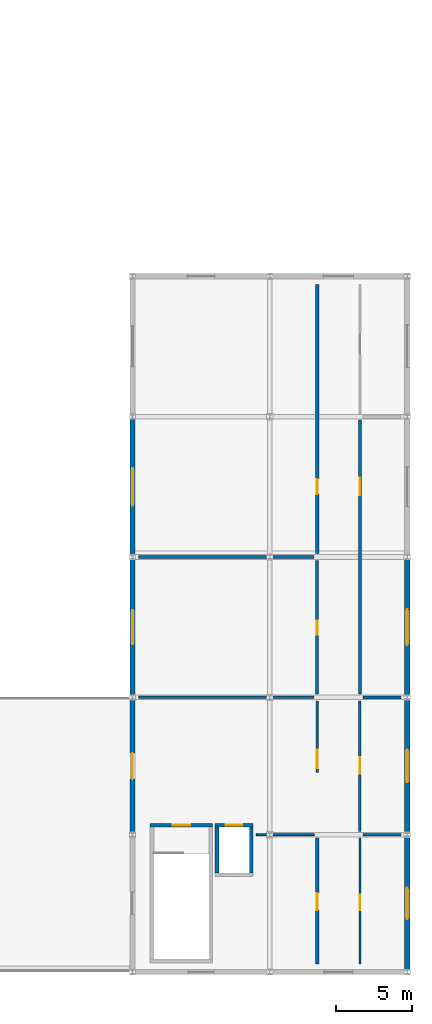
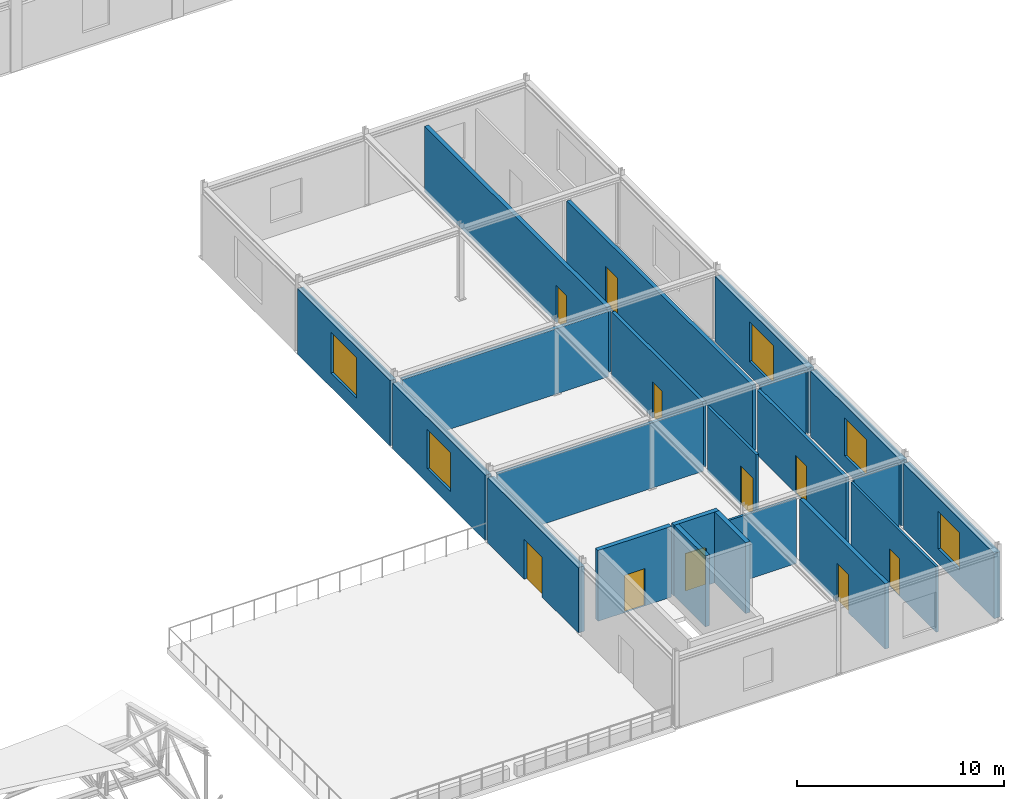
# One storey, part 44 of 55: 22 walls, 10 doors, 5 windows, 15 openings.
"""IFC4 building model written with IfcOpenShell, lengths in metres."""

from ifc_helpers import new_model, si_unit, direction, frame, frame_2d, origin, place, context, subcontext, project, spatial, rectangle, extrude, material, layer, layer_set, type_object, element, fill, save


model = new_model("IFC4")

# Units and contexts
model_context = context("Model", 3, precision=1e-05, world=origin(), true_north=direction((0.0, 1.0)))
body_context = subcontext(model_context, "Body", "Model", "MODEL_VIEW")
ifc_project = project(units=[si_unit("LENGTHUNIT", "METRE"), si_unit("AREAUNIT", "SQUARE_METRE"), si_unit("VOLUMEUNIT", "CUBIC_METRE"), si_unit("PLANEANGLEUNIT", "RADIAN"), si_unit("MASSUNIT", "GRAM", prefix="KILO")], contexts=[model_context])

# Site, building, storey
site_placement = place(None, origin())
site = spatial("IfcSite", under=ifc_project, at=site_placement, CompositionType="ELEMENT")
building_placement = place(site_placement, origin())
building = spatial("IfcBuilding", under=site, at=building_placement, Name="Bozkorgan Art Gallery", CompositionType="ELEMENT")
storey_placement = place(building_placement, frame((0.0, 0.0, 15.0)))
storey = spatial("IfcBuildingStorey", under=building, at=storey_placement, Name="L03", CompositionType="ELEMENT", Elevation=15.0)

# Wall, opening, door
ifc_material_1 = material(Name="Concrete C40/50", Category="concrete")
ifc_layer_1 = layer(ifc_material_1, 0.25, Name="Concrete C40/50")
ifc_layer_set_1 = layer_set([ifc_layer_1], Name="Concrete C40/50")
wall_type_1 = type_object("IfcWallType", Name="IWALL-CW-51", PredefinedType="SHEAR", material=ifc_layer_set_1)
wall_1_placement = place(storey_placement, frame((147.14990234375, 11.625, 0.0), z_axis=(0.0, 0.0, 1.0), x_axis=(1.0, 0.0, 0.0)))
wall_1 = element("IfcWall", 1, at=wall_1_placement, inside=storey, type_object=wall_type_1, Name="CORE4 L03 stair core north shear wall", PredefinedType="SHEAR", context=body_context, shape_type="SweptSolid", body=[
    extrude(rectangle(XDim=4.10009765625, YDim=0.25, at=frame_2d((2.050048828125, 0.0))), origin(), (0.0, 0.0, 1.0), 4.179931640625),
])
opening_1_placement = place(wall_1_placement, frame((2.625, 0.0, 0.0), z_axis=(0.0, 0.0, 1.0), x_axis=(-1.0, 0.0, 0.0)))
opening_1 = element("IfcOpeningElement", 2, at=opening_1_placement, cuts=wall_1, Name="Opening SD-41", PredefinedType="OPENING", context=body_context, shape_type="SweptSolid", body=[
    extrude(rectangle(XDim=1.14990234375, YDim=2.199951171875, at=frame_2d((0.574951171875, 1.10009765625))), frame((0.0, 0.135009765625, 0.0), z_axis=(0.0, -1.0, 0.0), x_axis=(1.0, 0.0, 0.0)), (0.0, 0.0, 1.0), 0.27001953125),
])
ifc_material_2 = material(Name="Steel S355J2", Category="steel")
door_type_1 = type_object("IfcDoorType", Name="IDOOR-SD-41", OperationType="NOTDEFINED", PredefinedType="DOOR", material=ifc_material_2)
door_1_placement = place(opening_1_placement, origin())
door_1 = element("IfcDoor", 3, at=door_1_placement, inside=storey, type_object=door_type_1, Name="ST4 L03 Fire Stair Door", OperationType="SINGLE_SWING_RIGHT", OverallHeight=2.199951171875, OverallWidth=1.14990234375, PredefinedType="DOOR", context=body_context, shape_type="SweptSolid", body=[
    extrude(rectangle(XDim=1.14990234375, YDim=2.199951171875, at=frame_2d((0.574951171875, 1.10009765625))), frame((0.0, 0.02490234375, 0.0), z_axis=(0.0, -1.0, 0.0), x_axis=(1.0, 0.0, 0.0)), (0.0, 0.0, 1.0), 0.050048828125),
])
fill(opening_1, door_1)

wall_2_placement = place(storey_placement, frame((151.39990234375, 11.625, 0.0), z_axis=(0.0, 0.0, 1.0), x_axis=(1.0, 0.0, 0.0)))
wall_2 = element("IfcWall", 4, at=wall_2_placement, inside=storey, type_object=wall_type_1, Name="PL4 L03 shaft front shear wall", PredefinedType="SHEAR", context=body_context, shape_type="SweptSolid", body=[
    extrude(rectangle(XDim=2.5, YDim=0.25, at=frame_2d((1.25, 0.0))), origin(), (0.0, 0.0, 1.0), 4.179931640625),
])
opening_2_placement = place(wall_2_placement, frame((0.699951171875, 0.0, 0.0)))
opening_2 = element("IfcOpeningElement", 5, at=opening_2_placement, cuts=wall_2, Name="Opening LD-25", PredefinedType="OPENING", context=body_context, shape_type="SweptSolid", body=[
    extrude(rectangle(XDim=1.10009765625, YDim=2.199951171875, at=frame_2d((0.550048828125, 1.10009765625))), frame((0.0, 0.135009765625, 0.0), z_axis=(0.0, -1.0, 0.0), x_axis=(1.0, 0.0, 0.0)), (0.0, 0.0, 1.0), 0.27001953125),
])
door_type_2 = type_object("IfcDoorType", Name="IDOOR-LD-25", OperationType="NOTDEFINED", PredefinedType="DOOR", material=ifc_material_2)
door_2_placement = place(opening_2_placement, origin())
door_2 = element("IfcDoor", 6, at=door_2_placement, inside=storey, type_object=door_type_2, Name="LD-PL4-L03 Lift Landing Door", OperationType="SLIDING_TO_LEFT", OverallHeight=2.199951171875, OverallWidth=1.10009765625, PredefinedType="DOOR", context=body_context, shape_type="SweptSolid", body=[
    extrude(rectangle(XDim=1.10009765625, YDim=2.199951171875, at=frame_2d((0.550048828125, 1.10009765625))), frame((0.0, 0.02490234375, 0.0), z_axis=(0.0, -1.0, 0.0), x_axis=(1.0, 0.0, 0.0)), (0.0, 0.0, 1.0), 0.050048828125),
])
fill(opening_2, door_2)

# Walls
for number, where, z_axis, x_axis, name in (
    (7, (153.77490234375, 8.5, 0.0), (0.0, 0.0, 1.0), (0.0, 1.0, 0.0), "PL4 L03 shaft E shear wall"),
    (8, (151.52490234375, 8.5, 0.0), (0.0, 0.0, 1.0), (0.0, 1.0, 0.0), "PL4 L03 shaft W shear wall"),
):
    element("IfcWall", number, at=place(storey_placement, frame(where, z_axis=z_axis, x_axis=x_axis)), inside=storey, type_object=wall_type_1, Name=name, PredefinedType="SHEAR", context=body_context, shape_type="SweptSolid", body=[
        extrude(rectangle(XDim=3.0, YDim=0.25, at=frame_2d((1.5, 0.0))), origin(), (0.0, 0.0, 1.0), 4.179931640625),
    ])

# Wall, opening, door
ifc_material_3 = material(Name="Acoustic Gypsum & Mineral Wool Partition")
ifc_layer_2 = layer(ifc_material_3, 0.22998046875, Name="Acoustic Gypsum & Mineral Wool Partition")
ifc_layer_set_2 = layer_set([ifc_layer_2], Name="Acoustic Gypsum & Mineral Wool Partition")
wall_type_2 = type_object("IfcWallType", Name="IWALL-PR-08", PredefinedType="PARTITIONING", material=ifc_layer_set_2)
wall_3_placement = place(storey_placement, frame((158.10009765625, 2.5400390625, 0.0), z_axis=(0.0, 0.0, 1.0), x_axis=(0.0, 1.0, 0.0)))
wall_3 = element("IfcWall", 9, at=wall_3_placement, inside=storey, type_object=wall_type_2, Name="V6 L03 acoustic partition wall 395", PredefinedType="PARTITIONING", context=body_context, shape_type="SweptSolid", body=[
    extrude(rectangle(XDim=8.239990234375, YDim=0.22998046875, at=frame_2d((4.1201171875, 0.0))), origin(), (0.0, 0.0, 1.0), 3.85498046875),
])
opening_3_placement = place(wall_3_placement, frame((4.639404296875, 0.0, 0.0), z_axis=(0.0, 0.0, 1.0), x_axis=(-1.0, 0.0, 0.0)))
opening_3 = element("IfcOpeningElement", 10, at=opening_3_placement, cuts=wall_3, Name="Opening FD-89", PredefinedType="OPENING", context=body_context, shape_type="SweptSolid", body=[
    extrude(rectangle(XDim=1.1201171875, YDim=2.260009765625, at=frame_2d((0.56005859375, 1.1298828125))), frame((0.0, 0.125, 0.0), z_axis=(0.0, -1.0, 0.0), x_axis=(1.0, 0.0, 0.0)), (0.0, 0.0, 1.0), 0.25),
])
ifc_material_4 = material(Name="Oiled European Oak Joinery")
door_type_3 = type_object("IfcDoorType", Name="IDOOR-FD-89", OperationType="NOTDEFINED", PredefinedType="DOOR", material=ifc_material_4)
door_3_placement = place(opening_3_placement, origin())
door_3 = element("IfcDoor", 11, at=door_3_placement, inside=storey, type_object=door_type_3, Name="Artists' Painting Studio Door", OperationType="SINGLE_SWING_RIGHT", OverallHeight=2.260009765625, OverallWidth=1.1201171875, PredefinedType="DOOR", context=body_context, shape_type="SweptSolid", body=[
    extrude(rectangle(XDim=1.1201171875, YDim=2.260009765625, at=frame_2d((0.56005859375, 1.1298828125))), frame((0.0, 0.02490234375, 0.0), z_axis=(0.0, -1.0, 0.0), x_axis=(1.0, 0.0, 0.0)), (0.0, 0.0, 1.0), 0.050048828125),
])
fill(opening_3, door_3)

wall_4_placement = place(storey_placement, frame((158.10009765625, 29.419921875, 0.0), z_axis=(0.0, 0.0, 1.0), x_axis=(0.0, 1.0, 0.0)))
wall_4 = element("IfcWall", 12, at=wall_4_placement, inside=storey, type_object=wall_type_2, Name="V6 L03 acoustic partition wall 401", PredefinedType="PARTITIONING", context=body_context, shape_type="SweptSolid", body=[
    extrude(rectangle(XDim=17.64013671875, YDim=0.22998046875, at=frame_2d((8.820068359375, 0.0))), origin(), (0.0, 0.0, 1.0), 3.85498046875),
])
opening_4_placement = place(wall_4_placement, frame((4.888916015625, 0.0, 0.0), z_axis=(0.0, 0.0, 1.0), x_axis=(-1.0, 0.0, 0.0)))
opening_4 = element("IfcOpeningElement", 13, at=opening_4_placement, cuts=wall_4, Name="Opening FD-75", PredefinedType="OPENING", context=body_context, shape_type="SweptSolid", body=[
    extrude(rectangle(XDim=0.97998046875, YDim=2.179931640625, at=frame_2d((0.489990234375, 1.08984375))), frame((0.0, 0.125, 0.0), z_axis=(0.0, -1.0, 0.0), x_axis=(1.0, 0.0, 0.0)), (0.0, 0.0, 1.0), 0.25),
])
door_type_4 = type_object("IfcDoorType", Name="IDOOR-FD-75", OperationType="NOTDEFINED", PredefinedType="DOOR", material=ifc_material_4)
door_4_placement = place(opening_4_placement, origin())
door_4 = element("IfcDoor", 14, at=door_4_placement, inside=storey, type_object=door_type_4, Name="Fellows' Seminar Lounge Door", OperationType="SINGLE_SWING_LEFT", OverallHeight=2.179931640625, OverallWidth=0.97998046875, PredefinedType="DOOR", context=body_context, shape_type="SweptSolid", body=[
    extrude(rectangle(XDim=0.97998046875, YDim=2.179931640625, at=frame_2d((0.489990234375, 1.08984375))), frame((0.0, 0.02490234375, 0.0), z_axis=(0.0, -1.0, 0.0), x_axis=(1.0, 0.0, 0.0)), (0.0, 0.0, 1.0), 0.050048828125),
])
fill(opening_4, door_4)

ifc_layer_3 = layer(ifc_material_3, 0.2099609375, Name="Acoustic Gypsum & Mineral Wool Partition")
ifc_layer_set_3 = layer_set([ifc_layer_3], Name="Acoustic Gypsum & Mineral Wool Partition")
wall_type_3 = type_object("IfcWallType", Name="IWALL-PR-38", PredefinedType="PARTITIONING", material=ifc_layer_set_3)
wall_5_placement = place(storey_placement, frame((160.89990234375, 20.219970703125, 0.0), z_axis=(0.0, 0.0, 1.0), x_axis=(0.0, 1.0, 0.0)))
wall_5 = element("IfcWall", 15, at=wall_5_placement, inside=storey, type_object=wall_type_3, Name="V6 L03 acoustic partition wall 406", PredefinedType="PARTITIONING", context=body_context, shape_type="SweptSolid", body=[
    extrude(rectangle(XDim=17.9599609375, YDim=0.2099609375, at=frame_2d((8.97998046875, 0.0))), origin(), (0.0, 0.0, 1.0), 3.85498046875),
])
opening_5_placement = place(wall_5_placement, frame((13.0244140625, 0.0, 0.0)))
opening_5 = element("IfcOpeningElement", 16, at=opening_5_placement, cuts=wall_5, Name="Opening FD-03", PredefinedType="OPENING", context=body_context, shape_type="SweptSolid", body=[
    extrude(rectangle(XDim=1.159912109375, YDim=2.280029296875, at=frame_2d((0.580078125, 1.14013671875))), frame((0.0, 0.114990234375, 0.0), z_axis=(0.0, -1.0, 0.0), x_axis=(1.0, 0.0, 0.0)), (0.0, 0.0, 1.0), 0.22998046875),
])
door_type_5 = type_object("IfcDoorType", Name="IDOOR-FD-03", OperationType="NOTDEFINED", PredefinedType="DOOR", material=ifc_material_4)
door_5_placement = place(opening_5_placement, origin())
door_5 = element("IfcDoor", 17, at=door_5_placement, inside=storey, type_object=door_type_5, Name="Artists' Painting Studio Door", OperationType="SINGLE_SWING_RIGHT", OverallHeight=2.280029296875, OverallWidth=1.159912109375, PredefinedType="DOOR", context=body_context, shape_type="SweptSolid", body=[
    extrude(rectangle(XDim=1.159912109375, YDim=2.280029296875, at=frame_2d((0.580078125, 1.14013671875))), frame((0.0, 0.02490234375, 0.0), z_axis=(0.0, -1.0, 0.0), x_axis=(1.0, 0.0, 0.0)), (0.0, 0.0, 1.0), 0.050048828125),
])
fill(opening_5, door_5)

ifc_layer_4 = layer(ifc_material_3, 0.169921875, Name="Acoustic Gypsum & Mineral Wool Partition")
ifc_layer_set_4 = layer_set([ifc_layer_4], Name="Acoustic Gypsum & Mineral Wool Partition")
wall_type_4 = type_object("IfcWallType", Name="IWALL-PR-40", PredefinedType="PARTITIONING", material=ifc_layer_set_4)
wall_6_placement = place(storey_placement, frame((160.89990234375, 11.219970703125, 0.0), z_axis=(0.0, 0.0, 1.0), x_axis=(0.0, 1.0, 0.0)))
wall_6 = element("IfcWall", 18, at=wall_6_placement, inside=storey, type_object=wall_type_4, Name="V6 L03 acoustic partition wall 404", PredefinedType="PARTITIONING", context=body_context, shape_type="SweptSolid", body=[
    extrude(rectangle(XDim=8.56005859375, YDim=0.169921875, at=frame_2d((4.280029296875, 0.0))), origin(), (0.0, 0.0, 1.0), 3.85498046875),
])
opening_6_placement = place(wall_6_placement, frame((3.780029296875, 0.0, 0.0)))
opening_6 = element("IfcOpeningElement", 19, at=opening_6_placement, cuts=wall_6, Name="Opening FD-44", PredefinedType="OPENING", context=body_context, shape_type="SweptSolid", body=[
    extrude(rectangle(XDim=1.080078125, YDim=2.239990234375, at=frame_2d((0.5400390625, 1.1201171875))), frame((0.0, 0.094970703125, 0.0), z_axis=(0.0, -1.0, 0.0), x_axis=(1.0, 0.0, 0.0)), (0.0, 0.0, 1.0), 0.18994140625),
])
door_type_6 = type_object("IfcDoorType", Name="IDOOR-FD-44", OperationType="NOTDEFINED", PredefinedType="DOOR", material=ifc_material_4)
door_6_placement = place(opening_6_placement, origin())
door_6 = element("IfcDoor", 20, at=door_6_placement, inside=storey, type_object=door_type_6, Name="Collection Archive Room Door", OperationType="SINGLE_SWING_LEFT", OverallHeight=2.239990234375, OverallWidth=1.080078125, PredefinedType="DOOR", context=body_context, shape_type="SweptSolid", body=[
    extrude(rectangle(XDim=1.080078125, YDim=2.239990234375, at=frame_2d((0.5400390625, 1.1201171875))), frame((0.0, 0.02490234375, 0.0), z_axis=(0.0, -1.0, 0.0), x_axis=(1.0, 0.0, 0.0)), (0.0, 0.0, 1.0), 0.050048828125),
])
fill(opening_6, door_6)

ifc_layer_5 = layer(ifc_material_3, 0.14990234375, Name="Acoustic Gypsum & Mineral Wool Partition")
ifc_layer_set_5 = layer_set([ifc_layer_5], Name="Acoustic Gypsum & Mineral Wool Partition")
wall_type_5 = type_object("IfcWallType", Name="IWALL-PR-55", PredefinedType="PARTITIONING", material=ifc_layer_set_5)
wall_7_placement = place(storey_placement, frame((158.10009765625, 15.070068359375, 0.0), z_axis=(0.0, 0.0, 1.0), x_axis=(0.0, 1.0, 0.0)))
wall_7 = element("IfcWall", 21, at=wall_7_placement, inside=storey, type_object=wall_type_5, Name="V6 L03 acoustic partition wall 397", PredefinedType="PARTITIONING", context=body_context, shape_type="SweptSolid", body=[
    extrude(rectangle(XDim=4.7099609375, YDim=0.14990234375, at=frame_2d((2.35498046875, 0.0))), origin(), (0.0, 0.0, 1.0), 3.85498046875),
])
opening_7_placement = place(wall_7_placement, frame((1.5, 0.0, 0.0), z_axis=(0.0, 0.0, 1.0), x_axis=(-1.0, 0.0, 0.0)))
opening_7 = element("IfcOpeningElement", 22, at=opening_7_placement, cuts=wall_7, Name="Opening FD-05", PredefinedType="OPENING", context=body_context, shape_type="SweptSolid", body=[
    extrude(rectangle(XDim=1.199951171875, YDim=2.300048828125, at=frame_2d((0.60009765625, 1.14990234375))), frame((0.0, 0.0849609375, 0.0), z_axis=(0.0, -1.0, 0.0), x_axis=(1.0, 0.0, 0.0)), (0.0, 0.0, 1.0), 0.169921875),
])
door_type_7 = type_object("IfcDoorType", Name="IDOOR-FD-05", OperationType="NOTDEFINED", PredefinedType="DOOR", material=ifc_material_4)
door_7_placement = place(opening_7_placement, origin())
door_7 = element("IfcDoor", 23, at=door_7_placement, inside=storey, type_object=door_type_7, Name="Textile Weaving Studio Door", OperationType="SINGLE_SWING_LEFT", OverallHeight=2.300048828125, OverallWidth=1.199951171875, PredefinedType="DOOR", context=body_context, shape_type="SweptSolid", body=[
    extrude(rectangle(XDim=1.199951171875, YDim=2.300048828125, at=frame_2d((0.60009765625, 1.14990234375))), frame((0.0, 0.02490234375, 0.0), z_axis=(0.0, -1.0, 0.0), x_axis=(1.0, 0.0, 0.0)), (0.0, 0.0, 1.0), 0.050048828125),
])
fill(opening_7, door_7)

ifc_layer_6 = layer(ifc_material_3, 0.18994140625, Name="Acoustic Gypsum & Mineral Wool Partition")
ifc_layer_set_6 = layer_set([ifc_layer_6], Name="Acoustic Gypsum & Mineral Wool Partition")
wall_type_6 = type_object("IfcWallType", Name="IWALL-PR-66", PredefinedType="PARTITIONING", material=ifc_layer_set_6)
wall_8_placement = place(storey_placement, frame((158.10009765625, 20.219970703125, 0.0), z_axis=(0.0, 0.0, 1.0), x_axis=(0.0, 1.0, 0.0)))
wall_8 = element("IfcWall", 24, at=wall_8_placement, inside=storey, type_object=wall_type_6, Name="V6 L03 acoustic partition wall 399", PredefinedType="PARTITIONING", context=body_context, shape_type="SweptSolid", body=[
    extrude(rectangle(XDim=8.760009765625, YDim=0.18994140625, at=frame_2d((4.3798828125, 0.0))), origin(), (0.0, 0.0, 1.0), 3.85498046875),
])
opening_8_placement = place(wall_8_placement, frame((4.7998046875, 0.0, 0.0), z_axis=(0.0, 0.0, 1.0), x_axis=(-1.0, 0.0, 0.0)))
opening_8 = element("IfcOpeningElement", 25, at=opening_8_placement, cuts=wall_8, Name="Opening FD-12", PredefinedType="OPENING", context=body_context, shape_type="SweptSolid", body=[
    extrude(rectangle(XDim=0.919921875, YDim=2.1201171875, at=frame_2d((0.4599609375, 1.06005859375))), frame((0.0, 0.10498046875, 0.0), z_axis=(0.0, -1.0, 0.0), x_axis=(1.0, 0.0, 0.0)), (0.0, 0.0, 1.0), 0.2099609375),
])
door_type_8 = type_object("IfcDoorType", Name="IDOOR-FD-12", OperationType="NOTDEFINED", PredefinedType="DOOR", material=ifc_material_4)
door_8_placement = place(opening_8_placement, origin())
door_8 = element("IfcDoor", 26, at=door_8_placement, inside=storey, type_object=door_type_8, Name="Visiting Artist Critique Room Door", OperationType="SINGLE_SWING_RIGHT", OverallHeight=2.1201171875, OverallWidth=0.919921875, PredefinedType="DOOR", context=body_context, shape_type="SweptSolid", body=[
    extrude(rectangle(XDim=0.919921875, YDim=2.1201171875, at=frame_2d((0.4599609375, 1.06005859375))), frame((0.0, 0.02490234375, 0.0), z_axis=(0.0, -1.0, 0.0), x_axis=(1.0, 0.0, 0.0)), (0.0, 0.0, 1.0), 0.050048828125),
])
fill(opening_8, door_8)

ifc_layer_7 = layer(ifc_material_3, 0.1298828125, Name="Acoustic Gypsum & Mineral Wool Partition")
ifc_layer_set_7 = layer_set([ifc_layer_7], Name="Acoustic Gypsum & Mineral Wool Partition")
wall_type_7 = type_object("IfcWallType", Name="IWALL-PR-76", PredefinedType="PARTITIONING", material=ifc_layer_set_7)
wall_9_placement = place(storey_placement, frame((160.89990234375, 2.5400390625, 0.0), z_axis=(0.0, 0.0, 1.0), x_axis=(0.0, 1.0, 0.0)))
wall_9 = element("IfcWall", 27, at=wall_9_placement, inside=storey, type_object=wall_type_7, Name="V6 L03 acoustic partition wall 402", PredefinedType="PARTITIONING", context=body_context, shape_type="SweptSolid", body=[
    extrude(rectangle(XDim=8.239990234375, YDim=0.1298828125, at=frame_2d((4.1201171875, 0.0))), origin(), (0.0, 0.0, 1.0), 3.85498046875),
])
opening_9_placement = place(wall_9_placement, frame((3.519287109375, 0.0, 0.0)))
opening_9 = element("IfcOpeningElement", 28, at=opening_9_placement, cuts=wall_9, Name="Opening FD-60", PredefinedType="OPENING", context=body_context, shape_type="SweptSolid", body=[
    extrude(rectangle(XDim=1.0, YDim=2.199951171875, at=frame_2d((0.5, 1.10009765625))), frame((0.0, 0.074951171875, 0.0), z_axis=(0.0, -1.0, 0.0), x_axis=(1.0, 0.0, 0.0)), (0.0, 0.0, 1.0), 0.14990234375),
])
door_type_9 = type_object("IfcDoorType", Name="IDOOR-FD-60", OperationType="NOTDEFINED", PredefinedType="DOOR", material=ifc_material_4)
door_9_placement = place(opening_9_placement, origin())
door_9 = element("IfcDoor", 29, at=door_9_placement, inside=storey, type_object=door_type_9, Name="Canvas Stretcher Store Door", OperationType="SINGLE_SWING_RIGHT", OverallHeight=2.199951171875, OverallWidth=1.0, PredefinedType="DOOR", context=body_context, shape_type="SweptSolid", body=[
    extrude(rectangle(XDim=1.0, YDim=2.199951171875, at=frame_2d((0.5, 1.10009765625))), frame((0.0, 0.02490234375, 0.0), z_axis=(0.0, -1.0, 0.0), x_axis=(1.0, 0.0, 0.0)), (0.0, 0.0, 1.0), 0.050048828125),
])
fill(opening_9, door_9)

# Walls
ifc_layer_8 = layer(ifc_material_3, 0.169921875, Name="Acoustic Gypsum & Mineral Wool Partition")
ifc_layer_set_8 = layer_set([ifc_layer_8], Name="Acoustic Gypsum & Mineral Wool Partition")
wall_type_8 = type_object("IfcWallType", Name="IWALL-PW-02", PredefinedType="PARTITIONING", material=ifc_layer_set_8)
wall_10_placement = place(storey_placement, frame((146.39990234375, 20.0, 0.0), z_axis=(0.0, 0.0, 1.0), x_axis=(1.0, 0.0, 0.0)))
element("IfcWall", 30, at=wall_10_placement, inside=storey, type_object=wall_type_8, Name="V6 L03 acoustic partition wall 398", PredefinedType="PARTITIONING", context=body_context, shape_type="SweptSolid", body=[
    extrude(rectangle(XDim=11.5, YDim=0.169921875, at=frame_2d((5.75, 0.0))), origin(), (0.0, 0.0, 1.0), 3.85498046875),
])
ifc_layer_9 = layer(ifc_material_3, 0.14990234375, Name="Acoustic Gypsum & Mineral Wool Partition")
ifc_layer_set_9 = layer_set([ifc_layer_9], Name="Acoustic Gypsum & Mineral Wool Partition")
wall_type_9 = type_object("IfcWallType", Name="IWALL-PW-17", PredefinedType="PARTITIONING", material=ifc_layer_set_9)
wall_11_placement = place(storey_placement, frame((161.10009765625, 11.0, 0.0), z_axis=(0.0, 0.0, 1.0), x_axis=(1.0, 0.0, 0.0)))
element("IfcWall", 31, at=wall_11_placement, inside=storey, type_object=wall_type_9, Name="V6 L03 acoustic partition wall 403", PredefinedType="PARTITIONING", context=body_context, shape_type="SweptSolid", body=[
    extrude(rectangle(XDim=2.5, YDim=0.14990234375, at=frame_2d((1.25, 0.0))), origin(), (0.0, 0.0, 1.0), 3.85498046875),
])
ifc_layer_10 = layer(ifc_material_3, 0.18994140625, Name="Acoustic Gypsum & Mineral Wool Partition")
ifc_layer_set_10 = layer_set([ifc_layer_10], Name="Acoustic Gypsum & Mineral Wool Partition")
wall_type_10 = type_object("IfcWallType", Name="IWALL-PW-23", PredefinedType="PARTITIONING", material=ifc_layer_set_10)
wall_12_placement = place(storey_placement, frame((161.10009765625, 20.0, 0.0), z_axis=(0.0, 0.0, 1.0), x_axis=(1.0, 0.0, 0.0)))
element("IfcWall", 32, at=wall_12_placement, inside=storey, type_object=wall_type_10, Name="V6 L03 acoustic partition wall 405", PredefinedType="PARTITIONING", context=body_context, shape_type="SweptSolid", body=[
    extrude(rectangle(XDim=2.5, YDim=0.18994140625, at=frame_2d((1.25, 0.0))), origin(), (0.0, 0.0, 1.0), 3.85498046875),
])
ifc_layer_11 = layer(ifc_material_3, 0.2099609375, Name="Acoustic Gypsum & Mineral Wool Partition")
ifc_layer_set_11 = layer_set([ifc_layer_11], Name="Acoustic Gypsum & Mineral Wool Partition")
wall_type_11 = type_object("IfcWallType", Name="IWALL-PW-72", PredefinedType="PARTITIONING", material=ifc_layer_set_11)
wall_13_placement = place(storey_placement, frame((146.39990234375, 29.199951171875, 0.0), z_axis=(0.0, 0.0, 1.0), x_axis=(1.0, 0.0, 0.0)))
element("IfcWall", 33, at=wall_13_placement, inside=storey, type_object=wall_type_11, Name="V6 L03 acoustic partition wall 400", PredefinedType="PARTITIONING", context=body_context, shape_type="SweptSolid", body=[
    extrude(rectangle(XDim=11.5, YDim=0.2099609375, at=frame_2d((5.75, 0.0))), origin(), (0.0, 0.0, 1.0), 3.85498046875),
])
ifc_layer_12 = layer(ifc_material_3, 0.1298828125, Name="Acoustic Gypsum & Mineral Wool Partition")
ifc_layer_set_12 = layer_set([ifc_layer_12], Name="Acoustic Gypsum & Mineral Wool Partition")
wall_type_12 = type_object("IfcWallType", Name="IWALL-PW-97", PredefinedType="PARTITIONING", material=ifc_layer_set_12)
wall_14_placement = place(storey_placement, frame((154.110107421875, 11.0, 0.0), z_axis=(0.0, 0.0, 1.0), x_axis=(1.0, 0.0, 0.0)))
element("IfcWall", 34, at=wall_14_placement, inside=storey, type_object=wall_type_12, Name="V6 L03 acoustic partition wall 396", PredefinedType="PARTITIONING", context=body_context, shape_type="SweptSolid", body=[
    extrude(rectangle(XDim=3.789794921875, YDim=0.1298828125, at=frame_2d((1.89501953125, 0.0))), origin(), (0.0, 0.0, 1.0), 3.85498046875),
])

# Wall, opening, window
ifc_material_5 = material(Name="Pressed Terracotta Brick Masonry", Category="masonry")
ifc_layer_13 = layer(ifc_material_5, 0.340087890625, Name="Pressed Terracotta Brick Masonry")
ifc_layer_set_13 = layer_set([ifc_layer_13], Name="Pressed Terracotta Brick Masonry")
wall_type_13 = type_object("IfcWallType", Name="WALL-WB-71", PredefinedType="STANDARD", material=ifc_layer_set_13)
wall_15_placement = place(storey_placement, frame((164.0, 2.1201171875, 0.0), z_axis=(0.0, 0.0, 1.0), x_axis=(0.0, 1.0, 0.0)))
wall_15 = element("IfcWall", 35, at=wall_15_placement, inside=storey, type_object=wall_type_13, Name="V6 L03 exterior facade wall 1E-6", PredefinedType="STANDARD", context=body_context, shape_type="SweptSolid", body=[
    extrude(rectangle(XDim=8.759765625, YDim=0.340087890625, at=frame_2d((4.3798828125, 0.0))), origin(), (0.0, 0.0, 1.0), 3.85498046875),
])
opening_10_placement = place(wall_15_placement, frame((5.405029296875, 0.0, 0.85009765625), z_axis=(0.0, 0.0, 1.0), x_axis=(-1.0, 0.0, 0.0)))
opening_10 = element("IfcOpeningElement", 36, at=opening_10_placement, cuts=wall_15, Name="Opening WN-39", PredefinedType="OPENING", context=body_context, shape_type="SweptSolid", body=[
    extrude(rectangle(XDim=2.050048828125, YDim=2.199951171875, at=frame_2d((1.02490234375, 1.10009765625))), frame((0.0, 0.18017578125, 0.0), z_axis=(0.0, -1.0, 0.0), x_axis=(1.0, 0.0, 0.0)), (0.0, 0.0, 1.0), 0.360107421875),
])
ifc_material_6 = material(Name="Triple Low-E Laminated Glass", Category="glass")
window_type_1 = type_object("IfcWindowType", Name="WIN-WN-39", PartitioningType="SINGLE_PANEL", PredefinedType="WINDOW", material=ifc_material_6)
window_1_placement = place(opening_10_placement, origin())
window_1 = element("IfcWindow", 37, at=window_1_placement, inside=storey, type_object=window_type_1, Name="V6 L03 gallery window 1E-6", OverallHeight=2.199951171875, OverallWidth=2.050048828125, PartitioningType="SINGLE_PANEL", PredefinedType="WINDOW", context=body_context, shape_type="SweptSolid", body=[
    extrude(rectangle(XDim=2.050048828125, YDim=2.199951171875, at=frame_2d((1.02490234375, 1.10009765625))), frame((0.0, 0.030029296875, 0.0), z_axis=(0.0, -1.0, 0.0), x_axis=(1.0, 0.0, 0.0)), (0.0, 0.0, 1.0), 0.06005859375),
])
fill(opening_10, window_1)

# Wall, opening, door
wall_16_placement = place(storey_placement, frame((146.0, 11.1201171875, 0.0), z_axis=(0.0, 0.0, 1.0), x_axis=(0.0, 1.0, 0.0)))
wall_16 = element("IfcWall", 38, at=wall_16_placement, inside=storey, type_object=wall_type_13, Name="V6 L03 terrace access wall (TD06)", PredefinedType="STANDARD", context=body_context, shape_type="SweptSolid", body=[
    extrude(rectangle(XDim=8.759765625, YDim=0.340087890625, at=frame_2d((4.3798828125, 0.0))), origin(), (0.0, 0.0, 1.0), 3.85498046875),
])
opening_11_placement = place(wall_16_placement, frame((3.530029296875, 0.0, 0.0)))
opening_11 = element("IfcOpeningElement", 39, at=opening_11_placement, cuts=wall_16, Name="Opening TD-72", PredefinedType="OPENING", context=body_context, shape_type="SweptSolid", body=[
    extrude(rectangle(XDim=1.699951171875, YDim=2.35009765625, at=frame_2d((0.85009765625, 1.175048828125))), frame((0.0, 0.18017578125, 0.0), z_axis=(0.0, -1.0, 0.0), x_axis=(1.0, 0.0, 0.0)), (0.0, 0.0, 1.0), 0.360107421875),
])
ifc_material_7 = material(Name="Anodised Bronze Aluminium", Category="aluminium")
door_type_10 = type_object("IfcDoorType", Name="DOOR-TD-72", OperationType="NOTDEFINED", PredefinedType="DOOR", material=ifc_material_7)
door_10_placement = place(opening_11_placement, origin())
door_10 = element("IfcDoor", 40, at=door_10_placement, inside=storey, type_object=door_type_10, Name="TD06 Sculpture Terrace Access Door", OperationType="DOUBLE_DOOR_SINGLE_SWING", OverallHeight=2.35009765625, OverallWidth=1.699951171875, PredefinedType="DOOR", context=body_context, shape_type="SweptSolid", body=[
    extrude(rectangle(XDim=1.699951171875, YDim=2.35009765625, at=frame_2d((0.85009765625, 1.175048828125))), frame((0.0, 0.02490234375, 0.0), z_axis=(0.0, -1.0, 0.0), x_axis=(1.0, 0.0, 0.0)), (0.0, 0.0, 1.0), 0.050048828125),
])
fill(opening_11, door_10)

# Wall, opening, window
wall_17_placement = place(storey_placement, frame((164.0, 11.1201171875, 0.0), z_axis=(0.0, 0.0, 1.0), x_axis=(0.0, 1.0, 0.0)))
wall_17 = element("IfcWall", 41, at=wall_17_placement, inside=storey, type_object=wall_type_13, Name="V6 L03 exterior facade wall 1E-8", PredefinedType="STANDARD", context=body_context, shape_type="SweptSolid", body=[
    extrude(rectangle(XDim=8.759765625, YDim=0.340087890625, at=frame_2d((4.3798828125, 0.0))), origin(), (0.0, 0.0, 1.0), 3.85498046875),
])
opening_12_placement = place(wall_17_placement, frame((5.454833984375, 0.0, 0.85009765625), z_axis=(0.0, 0.0, 1.0), x_axis=(-1.0, 0.0, 0.0)))
opening_12 = element("IfcOpeningElement", 42, at=opening_12_placement, cuts=wall_17, Name="Opening WN-56", PredefinedType="OPENING", context=body_context, shape_type="SweptSolid", body=[
    extrude(rectangle(XDim=2.14990234375, YDim=2.25, at=frame_2d((1.074951171875, 1.125))), frame((0.0, 0.18017578125, 0.0), z_axis=(0.0, -1.0, 0.0), x_axis=(1.0, 0.0, 0.0)), (0.0, 0.0, 1.0), 0.360107421875),
])
window_type_2 = type_object("IfcWindowType", Name="WIN-WN-56", PartitioningType="SINGLE_PANEL", PredefinedType="WINDOW", material=ifc_material_6)
window_2_placement = place(opening_12_placement, origin())
window_2 = element("IfcWindow", 43, at=window_2_placement, inside=storey, type_object=window_type_2, Name="V6 L03 gallery window 1E-8", OverallHeight=2.25, OverallWidth=2.14990234375, PartitioningType="SINGLE_PANEL", PredefinedType="WINDOW", context=body_context, shape_type="SweptSolid", body=[
    extrude(rectangle(XDim=2.14990234375, YDim=2.25, at=frame_2d((1.074951171875, 1.125))), frame((0.0, 0.030029296875, 0.0), z_axis=(0.0, -1.0, 0.0), x_axis=(1.0, 0.0, 0.0)), (0.0, 0.0, 1.0), 0.06005859375),
])
fill(opening_12, window_2)

wall_18_placement = place(storey_placement, frame((146.0, 20.1201171875, 0.0), z_axis=(0.0, 0.0, 1.0), x_axis=(0.0, 1.0, 0.0)))
wall_18 = element("IfcWall", 44, at=wall_18_placement, inside=storey, type_object=wall_type_13, Name="V6 L03 exterior facade wall 1W-9", PredefinedType="STANDARD", context=body_context, shape_type="SweptSolid", body=[
    extrude(rectangle(XDim=8.9599609375, YDim=0.340087890625, at=frame_2d((4.47998046875, 0.0))), origin(), (0.0, 0.0, 1.0), 3.85498046875),
])
opening_13_placement = place(wall_18_placement, frame((3.35498046875, 0.0, 0.85009765625)))
opening_13 = element("IfcOpeningElement", 45, at=opening_13_placement, cuts=wall_18, Name="Opening WN-97", PredefinedType="OPENING", context=body_context, shape_type="SweptSolid", body=[
    extrude(rectangle(XDim=2.25, YDim=2.300048828125, at=frame_2d((1.125, 1.14990234375))), frame((0.0, 0.18017578125, 0.0), z_axis=(0.0, -1.0, 0.0), x_axis=(1.0, 0.0, 0.0)), (0.0, 0.0, 1.0), 0.360107421875),
])
window_type_3 = type_object("IfcWindowType", Name="WIN-WN-97", PartitioningType="SINGLE_PANEL", PredefinedType="WINDOW", material=ifc_material_6)
window_3_placement = place(opening_13_placement, origin())
window_3 = element("IfcWindow", 46, at=window_3_placement, inside=storey, type_object=window_type_3, Name="V6 L03 gallery window 1W-9", OverallHeight=2.300048828125, OverallWidth=2.25, PartitioningType="SINGLE_PANEL", PredefinedType="WINDOW", context=body_context, shape_type="SweptSolid", body=[
    extrude(rectangle(XDim=2.25, YDim=2.300048828125, at=frame_2d((1.125, 1.14990234375))), frame((0.0, 0.030029296875, 0.0), z_axis=(0.0, -1.0, 0.0), x_axis=(1.0, 0.0, 0.0)), (0.0, 0.0, 1.0), 0.06005859375),
])
fill(opening_13, window_3)

wall_19_placement = place(storey_placement, frame((164.0, 20.1201171875, 0.0), z_axis=(0.0, 0.0, 1.0), x_axis=(0.0, 1.0, 0.0)))
wall_19 = element("IfcWall", 47, at=wall_19_placement, inside=storey, type_object=wall_type_13, Name="V6 L03 exterior facade wall 1E-10", PredefinedType="STANDARD", context=body_context, shape_type="SweptSolid", body=[
    extrude(rectangle(XDim=8.9599609375, YDim=0.340087890625, at=frame_2d((4.47998046875, 0.0))), origin(), (0.0, 0.0, 1.0), 3.85498046875),
])
opening_14_placement = place(wall_19_placement, frame((5.655029296875, 0.0, 0.85009765625), z_axis=(0.0, 0.0, 1.0), x_axis=(-1.0, 0.0, 0.0)))
opening_14 = element("IfcOpeningElement", 48, at=opening_14_placement, cuts=wall_19, Name="Opening WN-47", PredefinedType="OPENING", context=body_context, shape_type="SweptSolid", body=[
    extrude(rectangle(XDim=2.35009765625, YDim=2.35009765625, at=frame_2d((1.175048828125, 1.175048828125))), frame((0.0, 0.18017578125, 0.0), z_axis=(0.0, -1.0, 0.0), x_axis=(1.0, 0.0, 0.0)), (0.0, 0.0, 1.0), 0.360107421875),
])
window_type_4 = type_object("IfcWindowType", Name="WIN-WN-47", PartitioningType="SINGLE_PANEL", PredefinedType="WINDOW", material=ifc_material_6)
window_4_placement = place(opening_14_placement, origin())
window_4 = element("IfcWindow", 49, at=window_4_placement, inside=storey, type_object=window_type_4, Name="V6 L03 gallery window 1E-10", OverallHeight=2.35009765625, OverallWidth=2.35009765625, PartitioningType="SINGLE_PANEL", PredefinedType="WINDOW", context=body_context, shape_type="SweptSolid", body=[
    extrude(rectangle(XDim=2.35009765625, YDim=2.35009765625, at=frame_2d((1.175048828125, 1.175048828125))), frame((0.0, 0.030029296875, 0.0), z_axis=(0.0, -1.0, 0.0), x_axis=(1.0, 0.0, 0.0)), (0.0, 0.0, 1.0), 0.06005859375),
])
fill(opening_14, window_4)

wall_20_placement = place(storey_placement, frame((146.0, 29.320068359375, 0.0), z_axis=(0.0, 0.0, 1.0), x_axis=(0.0, 1.0, 0.0)))
wall_20 = element("IfcWall", 50, at=wall_20_placement, inside=storey, type_object=wall_type_13, Name="V6 L03 exterior facade wall 1W-11", PredefinedType="STANDARD", context=body_context, shape_type="SweptSolid", body=[
    extrude(rectangle(XDim=8.9599609375, YDim=0.340087890625, at=frame_2d((4.47998046875, 0.0))), origin(), (0.0, 0.0, 1.0), 3.85498046875),
])
opening_15_placement = place(wall_20_placement, frame((3.2548828125, 0.0, 0.85009765625)))
opening_15 = element("IfcOpeningElement", 51, at=opening_15_placement, cuts=wall_20, Name="Opening WN-83", PredefinedType="OPENING", context=body_context, shape_type="SweptSolid", body=[
    extrude(rectangle(XDim=2.449951171875, YDim=2.39990234375, at=frame_2d((1.22509765625, 1.199951171875))), frame((0.0, 0.18017578125, 0.0), z_axis=(0.0, -1.0, 0.0), x_axis=(1.0, 0.0, 0.0)), (0.0, 0.0, 1.0), 0.360107421875),
])
window_type_5 = type_object("IfcWindowType", Name="WIN-WN-83", PartitioningType="SINGLE_PANEL", PredefinedType="WINDOW", material=ifc_material_6)
window_5_placement = place(opening_15_placement, origin())
window_5 = element("IfcWindow", 52, at=window_5_placement, inside=storey, type_object=window_type_5, Name="V6 L03 gallery window 1W-11", OverallHeight=2.39990234375, OverallWidth=2.449951171875, PartitioningType="SINGLE_PANEL", PredefinedType="WINDOW", context=body_context, shape_type="SweptSolid", body=[
    extrude(rectangle(XDim=2.449951171875, YDim=2.39990234375, at=frame_2d((1.22509765625, 1.199951171875))), frame((0.0, 0.030029296875, 0.0), z_axis=(0.0, -1.0, 0.0), x_axis=(1.0, 0.0, 0.0)), (0.0, 0.0, 1.0), 0.06005859375),
])
fill(opening_15, window_5)

save(model, "model.ifc")
